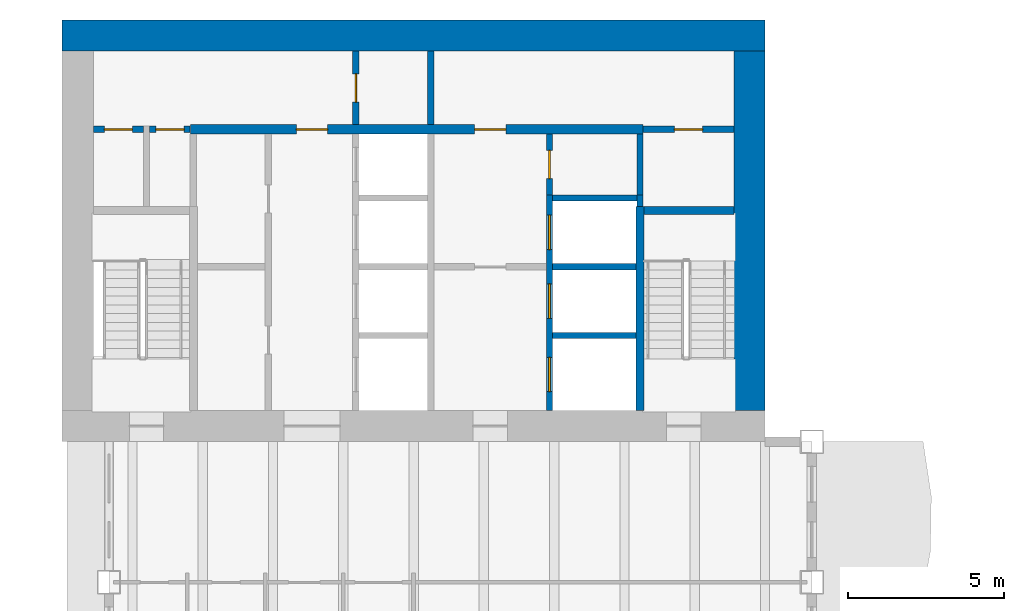
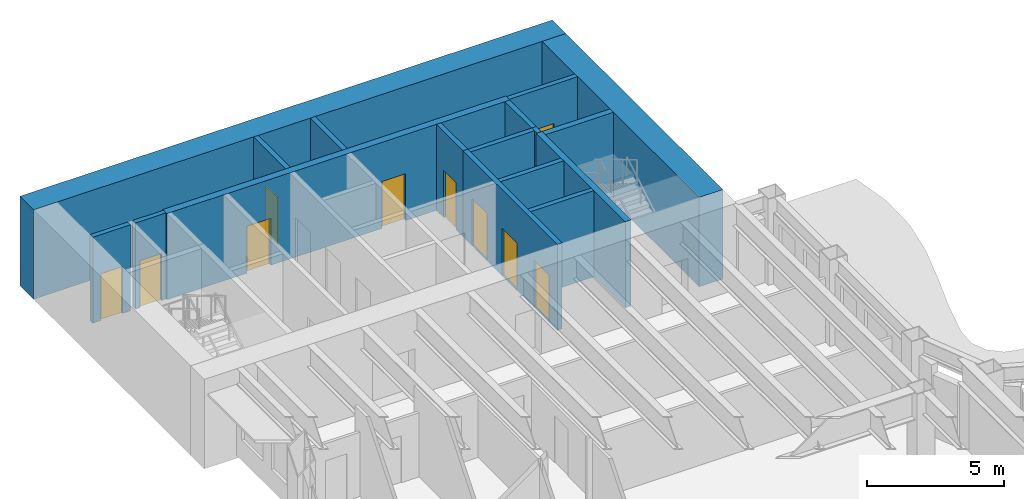
# One storey, part 10 of 17: 17 walls, 10 doors, 10 openings.
"""IFC4 building model written with IfcOpenShell, lengths in metres."""

from ifc_helpers import new_model, si_unit, direction, frame, frame_2d, origin, place, context, subcontext, project, spatial, rectangle, extrude, material, layer, layer_set, type_object, element, fill, save


model = new_model("IFC4")

# Units and contexts
model_context = context("Model", 3, precision=1e-05, world=origin(), true_north=direction((0.0, 1.0)))
body_context = subcontext(model_context, "Body", "Model", "MODEL_VIEW")
ifc_project = project(units=[si_unit("LENGTHUNIT", "METRE"), si_unit("AREAUNIT", "SQUARE_METRE"), si_unit("VOLUMEUNIT", "CUBIC_METRE"), si_unit("PLANEANGLEUNIT", "RADIAN"), si_unit("MASSUNIT", "GRAM", prefix="KILO")], contexts=[model_context])

# Site, building, storey
site_placement = place(None, origin())
site = spatial("IfcSite", under=ifc_project, at=site_placement, CompositionType="ELEMENT")
building_placement = place(site_placement, origin())
building = spatial("IfcBuilding", under=site, at=building_placement, Name="Sennacour Bend Tower", CompositionType="ELEMENT")
storey_placement = place(building_placement, frame((0.0, 0.0, 203.0)))
storey = spatial("IfcBuildingStorey", under=building, at=storey_placement, Name="L46", CompositionType="ELEMENT", Elevation=203.0)

# Walls
ifc_material_1 = material(Name="Concrete C60/75", Category="concrete")
ifc_layer_1 = layer(ifc_material_1, 1.0, Name="Concrete C60/75", Category="concrete")
ifc_layer_set_1 = layer_set([ifc_layer_1], Name="Concrete C60/75")
wall_type_1 = type_object("IfcWallType", Name="Core wall 1000 C60/75", PredefinedType="SHEAR", material=ifc_layer_set_1)
wall_1_placement = place(storey_placement, frame((0.0, 49.0, -0.14990234375), z_axis=(0.0, 0.0, 1.0), x_axis=(1.0, 0.0, 0.0)))
element("IfcWall", 1, at=wall_1_placement, inside=storey, type_object=wall_type_1, Name="Core B wall L46 N", PredefinedType="SHEAR", context=body_context, shape_type="SweptSolid", body=[
    extrude(rectangle(XDim=22.5, YDim=1.0, at=frame_2d((11.25, 0.0))), origin(), (0.0, 0.0, 1.0), 4.0),
])
wall_2_placement = place(storey_placement, frame((22.0, 37.0, -0.14990234375), z_axis=(0.0, 0.0, 1.0), x_axis=(0.0, 1.0, 0.0)))
element("IfcWall", 2, at=wall_2_placement, inside=storey, type_object=wall_type_1, Name="Core B wall L46 E", PredefinedType="SHEAR", context=body_context, shape_type="SweptSolid", body=[
    extrude(rectangle(XDim=11.5, YDim=1.0, at=frame_2d((5.75, 0.0))), origin(), (0.0, 0.0, 1.0), 4.0),
])

# Wall, opening, door
ifc_material_2 = material(Name="Fire-rated plasterboard partition on steel studs", Category="steel")
ifc_layer_2 = layer(ifc_material_2, 0.199951171875, Name="Fire-rated plasterboard partition on steel studs", Category="steel")
ifc_layer_set_2 = layer_set([ifc_layer_2], Name="Fire-rated plasterboard partition on steel studs")
wall_type_2 = type_object("IfcWallType", Name="Rated partition 200", PredefinedType="PARTITIONING", material=ifc_layer_set_2)
wall_3_placement = place(storey_placement, frame((9.39990234375, 46.14990234375, 0.0), z_axis=(0.0, 0.0, 1.0), x_axis=(0.0, 1.0, 0.0)))
wall_3 = element("IfcWall", 3, at=wall_3_placement, inside=storey, type_object=wall_type_2, Name="P-L46-W015", PredefinedType="PARTITIONING", context=body_context, shape_type="SweptSolid", body=[
    extrude(rectangle(XDim=2.35009765625, YDim=0.199951171875, at=frame_2d((1.175048828125, 0.0))), origin(), (0.0, 0.0, 1.0), 3.85009765625),
])
opening_1_placement = place(wall_3_placement, frame((0.72509765625, 0.0, 0.0)))
opening_1 = element("IfcOpeningElement", 4, at=opening_1_placement, cuts=wall_3, Name="Opening SV", PredefinedType="OPENING", context=body_context, shape_type="SweptSolid", body=[
    extrude(rectangle(XDim=0.89990234375, YDim=2.10009765625, at=frame_2d((0.449951171875, 1.050048828125))), frame((0.0, 0.10986328125, 0.0), z_axis=(0.0, -1.0, 0.0), x_axis=(1.0, 0.0, 0.0)), (0.0, 0.0, 1.0), 0.219970703125),
])
ifc_material_3 = material(Name="Painted steel", Category="steel")
door_type_1 = type_object("IfcDoorType", Name="DR-SERVICE-900", OperationType="NOTDEFINED", PredefinedType="DOOR", material=ifc_material_3)
door_1_placement = place(opening_1_placement, origin())
door_1 = element("IfcDoor", 5, at=door_1_placement, inside=storey, type_object=door_type_1, Name="Door", OperationType="SINGLE_SWING_RIGHT", OverallHeight=2.10009765625, OverallWidth=0.89990234375, PredefinedType="DOOR", context=body_context, shape_type="SweptSolid", body=[
    extrude(rectangle(XDim=0.89990234375, YDim=2.10009765625, at=frame_2d((0.449951171875, 1.050048828125))), frame((0.0, 0.02490234375, 0.0), z_axis=(0.0, -1.0, 0.0), x_axis=(1.0, 0.0, 0.0)), (0.0, 0.0, 1.0), 0.050048828125),
])
fill(opening_1, door_1)

# Wall
wall_4_placement = place(storey_placement, frame((11.800048828125, 46.14990234375, 0.0), z_axis=(0.0, 0.0, 1.0), x_axis=(0.0, 1.0, 0.0)))
element("IfcWall", 6, at=wall_4_placement, inside=storey, type_object=wall_type_2, Name="P-L46-W018", PredefinedType="PARTITIONING", context=body_context, shape_type="SweptSolid", body=[
    extrude(rectangle(XDim=2.35009765625, YDim=0.199951171875, at=frame_2d((1.175048828125, 0.0))), origin(), (0.0, 0.0, 1.0), 3.85009765625),
])

# Wall, opening, door
wall_5_placement = place(storey_placement, frame((15.60009765625, 43.89990234375, 0.0), z_axis=(0.0, 0.0, 1.0), x_axis=(0.0, 1.0, 0.0)))
wall_5 = element("IfcWall", 7, at=wall_5_placement, inside=storey, type_object=wall_type_2, Name="P-L46-W021", PredefinedType="PARTITIONING", context=body_context, shape_type="SweptSolid", body=[
    extrude(rectangle(XDim=1.9501953125, YDim=0.199951171875, at=frame_2d((0.97509765625, 0.0))), origin(), (0.0, 0.0, 1.0), 3.85009765625),
])
opening_2_placement = place(wall_5_placement, frame((0.525146484375, 0.0, 0.0)))
opening_2 = element("IfcOpeningElement", 8, at=opening_2_placement, cuts=wall_5, Name="Opening SV", PredefinedType="OPENING", context=body_context, shape_type="SweptSolid", body=[
    extrude(rectangle(XDim=0.89990234375, YDim=2.10009765625, at=frame_2d((0.449951171875, 1.050048828125))), frame((0.0, 0.10986328125, 0.0), z_axis=(0.0, -1.0, 0.0), x_axis=(1.0, 0.0, 0.0)), (0.0, 0.0, 1.0), 0.219970703125),
])
door_2_placement = place(opening_2_placement, origin())
door_2 = element("IfcDoor", 9, at=door_2_placement, inside=storey, type_object=door_type_1, Name="Door", OperationType="SINGLE_SWING_RIGHT", OverallHeight=2.10009765625, OverallWidth=0.89990234375, PredefinedType="DOOR", context=body_context, shape_type="SweptSolid", body=[
    extrude(rectangle(XDim=0.89990234375, YDim=2.10009765625, at=frame_2d((0.449951171875, 1.050048828125))), frame((0.0, 0.02490234375, 0.0), z_axis=(0.0, -1.0, 0.0), x_axis=(1.0, 0.0, 0.0)), (0.0, 0.0, 1.0), 0.050048828125),
])
fill(opening_2, door_2)

# Wall
wall_6_placement = place(storey_placement, frame((18.5, 43.89990234375, 0.0), z_axis=(0.0, 0.0, 1.0), x_axis=(0.0, 1.0, 0.0)))
element("IfcWall", 10, at=wall_6_placement, inside=storey, type_object=wall_type_2, Name="P-L46-W025", PredefinedType="PARTITIONING", context=body_context, shape_type="SweptSolid", body=[
    extrude(rectangle(XDim=1.9501953125, YDim=0.199951171875, at=frame_2d((0.97509765625, 0.0))), origin(), (0.0, 0.0, 1.0), 3.85009765625),
])

# Wall, opening, door
wall_7_placement = place(storey_placement, frame((1.0, 46.0, 0.0), z_axis=(0.0, 0.0, 1.0), x_axis=(1.0, 0.0, 0.0)))
wall_7 = element("IfcWall", 11, at=wall_7_placement, inside=storey, type_object=wall_type_2, Name="P-L46-W098a", PredefinedType="PARTITIONING", context=body_context, shape_type="SweptSolid", body=[
    extrude(rectangle(XDim=1.60009765625, YDim=0.199951171875, at=frame_2d((0.800048828125, 0.0))), origin(), (0.0, 0.0, 1.0), 3.85009765625),
])
opening_3_placement = place(wall_7_placement, frame((0.35009765625, 0.0, 0.0)))
opening_3 = element("IfcOpeningElement", 12, at=opening_3_placement, cuts=wall_7, Name="Opening SV", PredefinedType="OPENING", context=body_context, shape_type="SweptSolid", body=[
    extrude(rectangle(XDim=0.89990234375, YDim=2.10009765625, at=frame_2d((0.449951171875, 1.050048828125))), frame((0.0, 0.10986328125, 0.0), z_axis=(0.0, -1.0, 0.0), x_axis=(1.0, 0.0, 0.0)), (0.0, 0.0, 1.0), 0.219970703125),
])
door_3_placement = place(opening_3_placement, origin())
door_3 = element("IfcDoor", 13, at=door_3_placement, inside=storey, type_object=door_type_1, Name="Door", OperationType="SINGLE_SWING_LEFT", OverallHeight=2.10009765625, OverallWidth=0.89990234375, PredefinedType="DOOR", context=body_context, shape_type="SweptSolid", body=[
    extrude(rectangle(XDim=0.89990234375, YDim=2.10009765625, at=frame_2d((0.449951171875, 1.050048828125))), frame((0.0, 0.02490234375, 0.0), z_axis=(0.0, -1.0, 0.0), x_axis=(1.0, 0.0, 0.0)), (0.0, 0.0, 1.0), 0.050048828125),
])
fill(opening_3, door_3)

wall_8_placement = place(storey_placement, frame((2.800048828125, 46.0, 0.0), z_axis=(0.0, 0.0, 1.0), x_axis=(1.0, 0.0, 0.0)))
wall_8 = element("IfcWall", 14, at=wall_8_placement, inside=storey, type_object=wall_type_2, Name="P-L46-W098b", PredefinedType="PARTITIONING", context=body_context, shape_type="SweptSolid", body=[
    extrude(rectangle(XDim=1.300048828125, YDim=0.199951171875, at=frame_2d((0.64990234375, 0.0))), origin(), (0.0, 0.0, 1.0), 3.85009765625),
])
opening_4_placement = place(wall_8_placement, frame((0.199951171875, 0.0, 0.0)))
opening_4 = element("IfcOpeningElement", 15, at=opening_4_placement, cuts=wall_8, Name="Opening SV", PredefinedType="OPENING", context=body_context, shape_type="SweptSolid", body=[
    extrude(rectangle(XDim=0.89990234375, YDim=2.10009765625, at=frame_2d((0.449951171875, 1.050048828125))), frame((0.0, 0.10986328125, 0.0), z_axis=(0.0, -1.0, 0.0), x_axis=(1.0, 0.0, 0.0)), (0.0, 0.0, 1.0), 0.219970703125),
])
door_4_placement = place(opening_4_placement, origin())
door_4 = element("IfcDoor", 16, at=door_4_placement, inside=storey, type_object=door_type_1, Name="Door", OperationType="SINGLE_SWING_LEFT", OverallHeight=2.10009765625, OverallWidth=0.89990234375, PredefinedType="DOOR", context=body_context, shape_type="SweptSolid", body=[
    extrude(rectangle(XDim=0.89990234375, YDim=2.10009765625, at=frame_2d((0.449951171875, 1.050048828125))), frame((0.0, 0.02490234375, 0.0), z_axis=(0.0, -1.0, 0.0), x_axis=(1.0, 0.0, 0.0)), (0.0, 0.0, 1.0), 0.050048828125),
])
fill(opening_4, door_4)

wall_9_placement = place(storey_placement, frame((18.60009765625, 46.0, 0.0), z_axis=(0.0, 0.0, 1.0), x_axis=(1.0, 0.0, 0.0)))
wall_9 = element("IfcWall", 17, at=wall_9_placement, inside=storey, type_object=wall_type_2, Name="P-L46-W100", PredefinedType="PARTITIONING", context=body_context, shape_type="SweptSolid", body=[
    extrude(rectangle(XDim=2.89990234375, YDim=0.199951171875, at=frame_2d((1.449951171875, 0.0))), origin(), (0.0, 0.0, 1.0), 3.85009765625),
])
opening_5_placement = place(wall_9_placement, frame((1.0, 0.0, 0.0)))
opening_5 = element("IfcOpeningElement", 18, at=opening_5_placement, cuts=wall_9, Name="Opening WD", PredefinedType="OPENING", context=body_context, shape_type="SweptSolid", body=[
    extrude(rectangle(XDim=0.89990234375, YDim=2.10009765625, at=frame_2d((0.449951171875, 1.050048828125))), frame((0.0, 0.10986328125, 0.0), z_axis=(0.0, -1.0, 0.0), x_axis=(1.0, 0.0, 0.0)), (0.0, 0.0, 1.0), 0.219970703125),
])
ifc_material_4 = material(Name="Timber", Category="wood")
door_type_2 = type_object("IfcDoorType", Name="DR-WC-900", OperationType="NOTDEFINED", PredefinedType="DOOR", material=ifc_material_4)
door_5_placement = place(opening_5_placement, origin())
door_5 = element("IfcDoor", 19, at=door_5_placement, inside=storey, type_object=door_type_2, Name="Door", OperationType="SINGLE_SWING_LEFT", OverallHeight=2.10009765625, OverallWidth=0.89990234375, PredefinedType="DOOR", context=body_context, shape_type="SweptSolid", body=[
    extrude(rectangle(XDim=0.89990234375, YDim=2.10009765625, at=frame_2d((0.449951171875, 1.050048828125))), frame((0.0, 0.02490234375, 0.0), z_axis=(0.0, -1.0, 0.0), x_axis=(1.0, 0.0, 0.0)), (0.0, 0.0, 1.0), 0.050048828125),
])
fill(opening_5, door_5)

# Wall, openings, doors
ifc_material_5 = material(Name="Concrete C50/60", Category="concrete")
ifc_layer_3 = layer(ifc_material_5, 0.199951171875, Name="Concrete C50/60", Category="concrete")
ifc_layer_set_3 = layer_set([ifc_layer_3], Name="Concrete C50/60")
wall_type_3 = type_object("IfcWallType", Name="Shaft wall 200", PredefinedType="SOLIDWALL", material=ifc_layer_set_3)
wall_10_placement = place(storey_placement, frame((15.60009765625, 37.0, 0.0), z_axis=(0.0, 0.0, 1.0), x_axis=(0.0, 1.0, 0.0)))
wall_10 = element("IfcWall", 20, at=wall_10_placement, inside=storey, type_object=wall_type_3, Name="P-L46-W020", PredefinedType="SOLIDWALL", context=body_context, shape_type="SweptSolid", body=[
    extrude(rectangle(XDim=6.89990234375, YDim=0.199951171875, at=frame_2d((3.449951171875, 0.0))), origin(), (0.0, 0.0, 1.0), 3.85009765625),
])
opening_6_placement = place(wall_10_placement, frame((0.60009765625, 0.0, 0.011962890625)))
opening_6 = element("IfcOpeningElement", 21, at=opening_6_placement, cuts=wall_10, Name="Opening FLD", PredefinedType="OPENING", context=body_context, shape_type="SweptSolid", body=[
    extrude(rectangle(XDim=1.10009765625, YDim=2.10009765625, at=frame_2d((0.550048828125, 1.050048828125))), frame((0.0, 0.10986328125, 0.0), z_axis=(0.0, -1.0, 0.0), x_axis=(1.0, 0.0, 0.0)), (0.0, 0.0, 1.0), 0.219970703125),
])
opening_7_placement = place(wall_10_placement, frame((2.949951171875, 0.0, 0.011962890625)))
opening_7 = element("IfcOpeningElement", 22, at=opening_7_placement, cuts=wall_10, Name="Opening FLD", PredefinedType="OPENING", context=body_context, shape_type="SweptSolid", body=[
    extrude(rectangle(XDim=1.10009765625, YDim=2.10009765625, at=frame_2d((0.550048828125, 1.050048828125))), frame((0.0, 0.10986328125, 0.0), z_axis=(0.0, -1.0, 0.0), x_axis=(1.0, 0.0, 0.0)), (0.0, 0.0, 1.0), 0.219970703125),
])
opening_8_placement = place(wall_10_placement, frame((5.14990234375, 0.0, 0.011962890625)))
opening_8 = element("IfcOpeningElement", 23, at=opening_8_placement, cuts=wall_10, Name="Opening LD", PredefinedType="OPENING", context=body_context, shape_type="SweptSolid", body=[
    extrude(rectangle(XDim=1.10009765625, YDim=2.10009765625, at=frame_2d((0.550048828125, 1.050048828125))), frame((0.0, 0.10986328125, 0.0), z_axis=(0.0, -1.0, 0.0), x_axis=(1.0, 0.0, 0.0)), (0.0, 0.0, 1.0), 0.219970703125),
])
ifc_material_6 = material(Name="Stainless steel", Category="steel")
door_type_3 = type_object("IfcDoorType", Name="DR-FF-LANDING-1100", OperationType="NOTDEFINED", PredefinedType="DOOR", material=ifc_material_6)
door_6_placement = place(opening_6_placement, origin())
door_6 = element("IfcDoor", 24, at=door_6_placement, inside=storey, type_object=door_type_3, Name="Fire service lift landing door FB1", OperationType="SLIDING_TO_RIGHT", OverallHeight=2.10009765625, OverallWidth=1.10009765625, PredefinedType="DOOR", context=body_context, shape_type="SweptSolid", body=[
    extrude(rectangle(XDim=1.10009765625, YDim=2.10009765625, at=frame_2d((0.550048828125, 1.050048828125))), frame((0.0, 0.02490234375, 0.0), z_axis=(0.0, -1.0, 0.0), x_axis=(1.0, 0.0, 0.0)), (0.0, 0.0, 1.0), 0.050048828125),
])
fill(opening_6, door_6)
door_7_placement = place(opening_7_placement, origin())
door_7 = element("IfcDoor", 25, at=door_7_placement, inside=storey, type_object=door_type_3, Name="Fire service lift landing door FB2", OperationType="SLIDING_TO_LEFT", OverallHeight=2.10009765625, OverallWidth=1.10009765625, PredefinedType="DOOR", context=body_context, shape_type="SweptSolid", body=[
    extrude(rectangle(XDim=1.10009765625, YDim=2.10009765625, at=frame_2d((0.550048828125, 1.050048828125))), frame((0.0, 0.02490234375, 0.0), z_axis=(0.0, -1.0, 0.0), x_axis=(1.0, 0.0, 0.0)), (0.0, 0.0, 1.0), 0.050048828125),
])
fill(opening_7, door_7)
door_type_4 = type_object("IfcDoorType", Name="DR-LANDING-1100", OperationType="NOTDEFINED", PredefinedType="DOOR", material=ifc_material_6)
door_8_placement = place(opening_8_placement, origin())
door_8 = element("IfcDoor", 26, at=door_8_placement, inside=storey, type_object=door_type_4, Name="Lift landing door MB5", OperationType="SLIDING_TO_RIGHT", OverallHeight=2.10009765625, OverallWidth=1.10009765625, PredefinedType="DOOR", context=body_context, shape_type="SweptSolid", body=[
    extrude(rectangle(XDim=1.10009765625, YDim=2.10009765625, at=frame_2d((0.550048828125, 1.050048828125))), frame((0.0, 0.02490234375, 0.0), z_axis=(0.0, -1.0, 0.0), x_axis=(1.0, 0.0, 0.0)), (0.0, 0.0, 1.0), 0.050048828125),
])
fill(opening_8, door_8)

# Walls
wall_11_placement = place(storey_placement, frame((18.5, 43.52490234375, 0.0), z_axis=(0.0, 0.0, 1.0), x_axis=(0.0, 1.0, 0.0)))
element("IfcWall", 27, at=wall_11_placement, inside=storey, type_object=wall_type_3, Name="P-L46-W024", PredefinedType="SOLIDWALL", context=body_context, shape_type="SweptSolid", body=[
    extrude(rectangle(XDim=0.375, YDim=0.199951171875, at=frame_2d((0.1875, 0.0))), origin(), (0.0, 0.0, 1.0), 3.85009765625),
])
for number, where, z_axis, x_axis, name in (
    (28, (15.699951171875, 39.39990234375, 0.0), (0.0, 0.0, 1.0), (1.0, 0.0, 0.0), "P-L46-W089"),
    (29, (15.699951171875, 41.60009765625, 0.0), (0.0, 0.0, 1.0), (1.0, 0.0, 0.0), "P-L46-W093"),
):
    element("IfcWall", number, at=place(storey_placement, frame(where, z_axis=z_axis, x_axis=x_axis)), inside=storey, type_object=wall_type_3, Name=name, PredefinedType="SOLIDWALL", context=body_context, shape_type="SweptSolid", body=[
        extrude(rectangle(XDim=2.675048828125, YDim=0.199951171875, at=frame_2d((1.33740234375, 0.0))), origin(), (0.0, 0.0, 1.0), 3.85009765625),
    ])
wall_12_placement = place(storey_placement, frame((15.699951171875, 43.800048828125, 0.0), z_axis=(0.0, 0.0, 1.0), x_axis=(1.0, 0.0, 0.0)))
element("IfcWall", 30, at=wall_12_placement, inside=storey, type_object=wall_type_3, Name="P-L46-W097", PredefinedType="SOLIDWALL", context=body_context, shape_type="SweptSolid", body=[
    extrude(rectangle(XDim=2.699951171875, YDim=0.199951171875, at=frame_2d((1.35009765625, 0.0))), origin(), (0.0, 0.0, 1.0), 3.85009765625),
])

# Wall, openings, doors
ifc_layer_4 = layer(ifc_material_1, 0.300048828125, Name="Concrete C60/75", Category="concrete")
ifc_layer_set_4 = layer_set([ifc_layer_4], Name="Concrete C60/75")
wall_type_4 = type_object("IfcWallType", Name="Spine wall 300", PredefinedType="SHEAR", material=ifc_layer_set_4)
wall_13_placement = place(storey_placement, frame((4.10009765625, 46.0, 0.0), z_axis=(0.0, 0.0, 1.0), x_axis=(1.0, 0.0, 0.0)))
wall_13 = element("IfcWall", 31, at=wall_13_placement, inside=storey, type_object=wall_type_4, Name="P-L46-W099", PredefinedType="SHEAR", context=body_context, shape_type="SweptSolid", body=[
    extrude(rectangle(XDim=14.5, YDim=0.300048828125, at=frame_2d((7.25, 0.0))), origin(), (0.0, 0.0, 1.0), 3.85009765625),
])
opening_9_placement = place(wall_13_placement, frame((3.39990234375, 0.0, 0.0)))
opening_9 = element("IfcOpeningElement", 32, at=opening_9_placement, cuts=wall_13, Name="Opening CD2", PredefinedType="OPENING", context=body_context, shape_type="SweptSolid", body=[
    extrude(rectangle(XDim=1.0, YDim=2.10009765625, at=frame_2d((0.5, 1.050048828125))), frame((0.0, 0.16015625, 0.0), z_axis=(0.0, -1.0, 0.0), x_axis=(1.0, 0.0, 0.0)), (0.0, 0.0, 1.0), 0.320068359375),
])
opening_10_placement = place(wall_13_placement, frame((9.099853515625, 0.0, 0.0)))
opening_10 = element("IfcOpeningElement", 33, at=opening_10_placement, cuts=wall_13, Name="Opening CD2", PredefinedType="OPENING", context=body_context, shape_type="SweptSolid", body=[
    extrude(rectangle(XDim=1.0, YDim=2.10009765625, at=frame_2d((0.5, 1.050048828125))), frame((0.0, 0.16015625, 0.0), z_axis=(0.0, -1.0, 0.0), x_axis=(1.0, 0.0, 0.0)), (0.0, 0.0, 1.0), 0.320068359375),
])
door_type_5 = type_object("IfcDoorType", Name="DR-LOBBY-1000", OperationType="NOTDEFINED", PredefinedType="DOOR", material=ifc_material_3)
door_9_placement = place(opening_9_placement, origin())
door_9 = element("IfcDoor", 34, at=door_9_placement, inside=storey, type_object=door_type_5, Name="Door", OperationType="SINGLE_SWING_LEFT", OverallHeight=2.10009765625, OverallWidth=1.0, PredefinedType="DOOR", context=body_context, shape_type="SweptSolid", body=[
    extrude(rectangle(XDim=1.0, YDim=2.10009765625, at=frame_2d((0.5, 1.050048828125))), frame((0.0, 0.02490234375, 0.0), z_axis=(0.0, -1.0, 0.0), x_axis=(1.0, 0.0, 0.0)), (0.0, 0.0, 1.0), 0.050048828125),
])
fill(opening_9, door_9)
door_10_placement = place(opening_10_placement, origin())
door_10 = element("IfcDoor", 35, at=door_10_placement, inside=storey, type_object=door_type_5, Name="Door", OperationType="SINGLE_SWING_RIGHT", OverallHeight=2.10009765625, OverallWidth=1.0, PredefinedType="DOOR", context=body_context, shape_type="SweptSolid", body=[
    extrude(rectangle(XDim=1.0, YDim=2.10009765625, at=frame_2d((0.5, 1.050048828125))), frame((0.0, 0.02490234375, 0.0), z_axis=(0.0, -1.0, 0.0), x_axis=(1.0, 0.0, 0.0)), (0.0, 0.0, 1.0), 0.050048828125),
])
fill(opening_10, door_10)

# Walls
ifc_layer_5 = layer(ifc_material_1, 0.25, Name="Concrete C60/75", Category="concrete")
ifc_layer_set_5 = layer_set([ifc_layer_5], Name="Concrete C60/75")
wall_type_5 = type_object("IfcWallType", Name="Stair wall 250", PredefinedType="SHEAR", material=ifc_layer_set_5)
wall_14_placement = place(storey_placement, frame((18.5, 37.0, 0.0), z_axis=(0.0, 0.0, 1.0), x_axis=(0.0, 1.0, 0.0)))
element("IfcWall", 36, at=wall_14_placement, inside=storey, type_object=wall_type_5, Name="P-L46-W023", PredefinedType="SHEAR", context=body_context, shape_type="SweptSolid", body=[
    extrude(rectangle(XDim=6.52490234375, YDim=0.25, at=frame_2d((3.262451171875, 0.0))), origin(), (0.0, 0.0, 1.0), 3.85009765625),
])
wall_15_placement = place(storey_placement, frame((18.625, 43.39990234375, 0.0), z_axis=(0.0, 0.0, 1.0), x_axis=(1.0, 0.0, 0.0)))
element("IfcWall", 37, at=wall_15_placement, inside=storey, type_object=wall_type_5, Name="P-L46-W095", PredefinedType="SHEAR", context=body_context, shape_type="SweptSolid", body=[
    extrude(rectangle(XDim=2.875, YDim=0.25, at=frame_2d((1.4375, 0.0))), origin(), (0.0, 0.0, 1.0), 3.85009765625),
])

save(model, "model.ifc")
